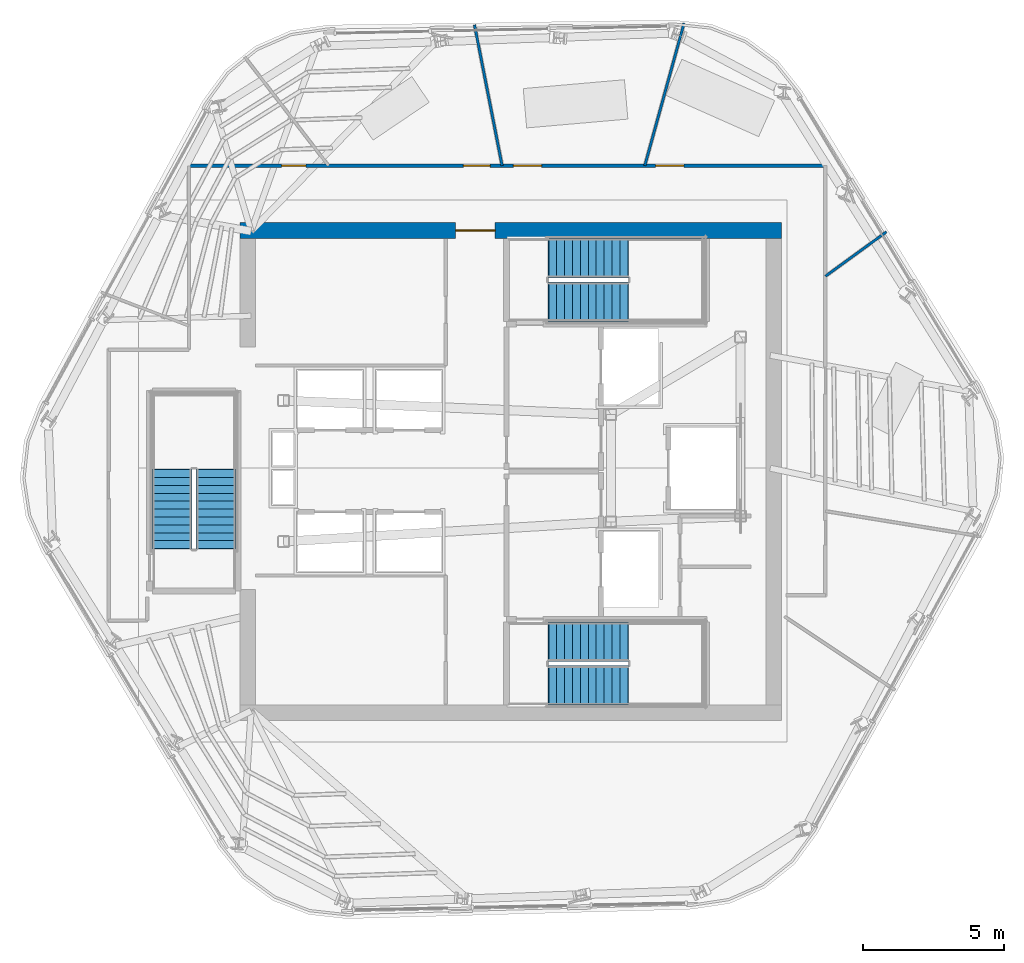
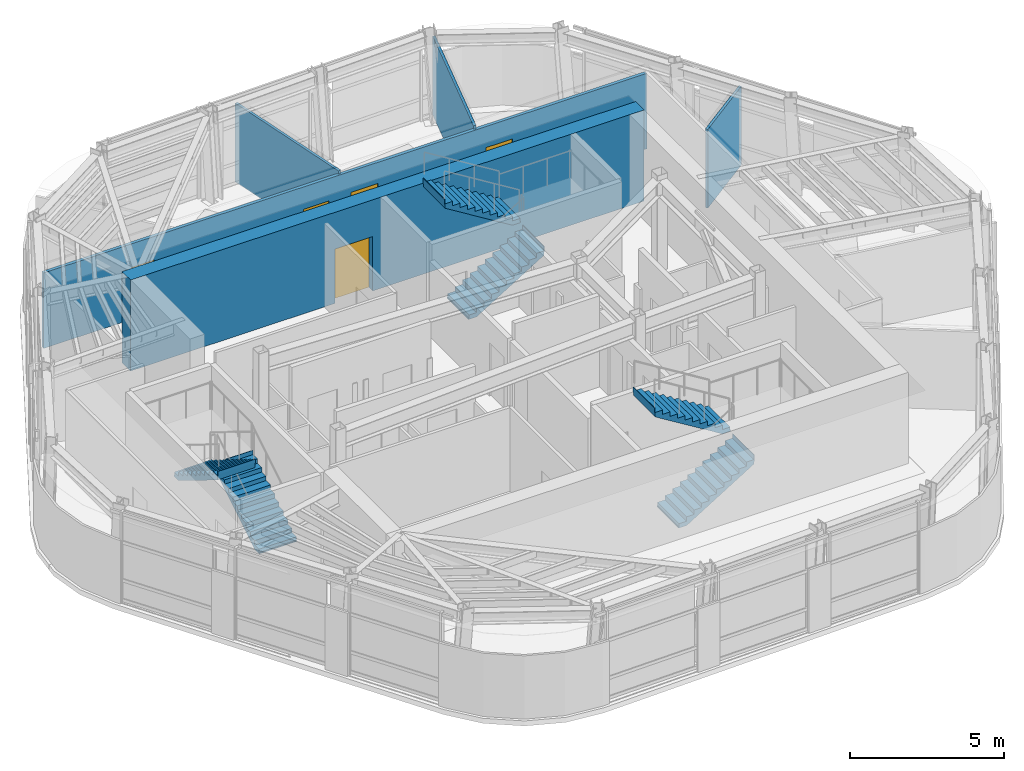
# One storey, part 8 of 13: 6 stair flights, 5 doors, 5 walls, 5 openings, 3 elements without a shape of their own.
"""IFC4 building model written with IfcOpenShell, lengths in metres."""

from ifc_helpers import new_model, si_unit, direction, frame, frame_2d, origin, place, context, subcontext, project, spatial, polyline, rectangle, outline, extrude, material, layer, layer_set, type_object, element, fill, aggregate, save


model = new_model("IFC4")

# Units and contexts
model_context = context("Model", 3, precision=1e-05, world=origin(), true_north=direction((0.0, 1.0)))
body_context = subcontext(model_context, "Body", "Model", "MODEL_VIEW")
ifc_project = project(units=[si_unit("LENGTHUNIT", "METRE"), si_unit("AREAUNIT", "SQUARE_METRE"), si_unit("VOLUMEUNIT", "CUBIC_METRE"), si_unit("PLANEANGLEUNIT", "RADIAN"), si_unit("MASSUNIT", "GRAM", prefix="KILO")], contexts=[model_context])

# Site, building, storey
site_placement = place(None, origin())
site = spatial("IfcSite", under=ifc_project, at=site_placement, CompositionType="ELEMENT")
building_placement = place(site_placement, origin())
building = spatial("IfcBuilding", under=site, at=building_placement, Name="Valkerne Bourse Tower", CompositionType="ELEMENT")
storey_placement = place(building_placement, frame((0.0, 0.0, 288.800048828125)))
storey = spatial("IfcBuildingStorey", under=building, at=storey_placement, Name="L73", CompositionType="ELEMENT", Elevation=288.800048828125)

# Wall, opening, door
ifc_material_1 = material(Name="Concrete C55/67", Category="concrete")
ifc_layer_1 = layer(ifc_material_1, 0.550048828125)
ifc_layer_set_1 = layer_set([ifc_layer_1], Name="Concrete C55/67")
wall_type_1 = type_object("IfcWallType", Name="W-CORE-550", PredefinedType="SHEAR", material=ifc_layer_set_1)
wall_1_placement = place(storey_placement, frame((37.199951171875, 35.425048828125, 0.0), z_axis=(0.0, 0.0, 1.0), x_axis=(1.0, 0.0, 0.0)))
wall_1 = element("IfcWall", 1, at=wall_1_placement, inside=storey, type_object=wall_type_1, Name="L73 Core Shear Wall NORTH", PredefinedType="SHEAR", context=body_context, shape_type="SweptSolid", body=[
    extrude(rectangle(XDim=19.199951171875, YDim=0.550048828125, at=frame_2d((9.60009765625, 0.0))), origin(), (0.0, 0.0, 1.0), 3.599853515625),
])
opening_1_placement = place(wall_1_placement, frame((7.64990234375, 0.0, 0.0)))
opening_1 = element("IfcOpeningElement", 2, at=opening_1_placement, cuts=wall_1, Name="Opening D-PL-1400", PredefinedType="OPENING", context=body_context, shape_type="SweptSolid", body=[
    extrude(rectangle(XDim=1.39990234375, YDim=2.14990234375, at=frame_2d((0.699951171875, 1.074951171875))), frame((0.0, 0.284912109375, 0.0), z_axis=(0.0, -1.0, 0.0), x_axis=(1.0, 0.0, 0.0)), (0.0, 0.0, 1.0), 0.570068359375),
])
ifc_material_2 = material(Name="Galvanised Painted Steel", Category="steel")
door_type_1 = type_object("IfcDoorType", Name="DR-PLT-1400", OperationType="DOUBLE_DOOR_SINGLE_SWING", PredefinedType="DOOR", material=ifc_material_2)
door_1_placement = place(opening_1_placement, origin())
door_1 = element("IfcDoor", 3, at=door_1_placement, inside=storey, type_object=door_type_1, Name="L73 North Passenger Lift Hall Fire Door", OperationType="DOUBLE_DOOR_SINGLE_SWING", OverallHeight=2.14990234375, OverallWidth=1.39990234375, PredefinedType="DOOR", context=body_context, shape_type="SweptSolid", body=[
    extrude(rectangle(XDim=1.39990234375, YDim=2.14990234375, at=frame_2d((0.699951171875, 1.074951171875))), frame((0.0, 0.02490234375, 0.0), z_axis=(0.0, -1.0, 0.0), x_axis=(1.0, 0.0, 0.0)), (0.0, 0.0, 1.0), 0.050048828125),
])
fill(opening_1, door_1)

# Wall, openings, doors
ifc_material_3 = material(Name="Gypsum Board Steel-Stud Partition", Category="steel")
ifc_layer_2 = layer(ifc_material_3, 0.117919921875)
ifc_layer_set_2 = layer_set([ifc_layer_2], Name="Gypsum Board Steel-Stud Partition")
wall_type_2 = type_object("IfcWallType", Name="W-CORR-140", PredefinedType="PARTITIONING", material=ifc_layer_set_2)
wall_2_placement = place(storey_placement, frame((35.39990234375, 37.719970703125, 0.0), z_axis=(0.0, 0.0, 1.0), x_axis=(1.0, 0.0, 0.0)))
wall_2 = element("IfcWall", 4, at=wall_2_placement, inside=storey, type_object=wall_type_2, Name="L73 Corridor Enclosure Wall", PredefinedType="PARTITIONING", context=body_context, shape_type="SweptSolid", body=[
    extrude(rectangle(XDim=22.550048828125, YDim=0.117919921875, at=frame_2d((11.27490234375, 0.0))), origin(), (0.0, 0.0, 1.0), 2.98291015625),
])
opening_2_placement = place(wall_2_placement, frame((3.284912109375, 0.0, 0.0)))
opening_2 = element("IfcOpeningElement", 5, at=opening_2_placement, cuts=wall_2, Name="Opening D-WC-900", PredefinedType="OPENING", context=body_context, shape_type="SweptSolid", body=[
    extrude(rectangle(XDim=0.860107421875, YDim=2.050048828125, at=frame_2d((0.43017578125, 1.02490234375))), frame((0.0, 0.06884765625, 0.0), z_axis=(0.0, -1.0, 0.0), x_axis=(1.0, 0.0, 0.0)), (0.0, 0.0, 1.0), 0.137939453125),
])
opening_3_placement = place(wall_2_placement, frame((16.534912109375, 0.0, 0.0)))
opening_3 = element("IfcOpeningElement", 6, at=opening_3_placement, cuts=wall_2, Name="Opening D-MG-1000", PredefinedType="OPENING", context=body_context, shape_type="SweptSolid", body=[
    extrude(rectangle(XDim=1.0, YDim=2.14990234375, at=frame_2d((0.5, 1.074951171875))), frame((0.0, 0.06884765625, 0.0), z_axis=(0.0, -1.0, 0.0), x_axis=(1.0, 0.0, 0.0)), (0.0, 0.0, 1.0), 0.137939453125),
])
opening_4_placement = place(wall_2_placement, frame((11.4951171875, 0.0, 0.0)))
opening_4 = element("IfcOpeningElement", 7, at=opening_4_placement, cuts=wall_2, Name="Opening D-MG-1000", PredefinedType="OPENING", context=body_context, shape_type="SweptSolid", body=[
    extrude(rectangle(XDim=1.0, YDim=2.14990234375, at=frame_2d((0.5, 1.074951171875))), frame((0.0, 0.06884765625, 0.0), z_axis=(0.0, -1.0, 0.0), x_axis=(1.0, 0.0, 0.0)), (0.0, 0.0, 1.0), 0.137939453125),
])
opening_5_placement = place(wall_2_placement, frame((9.719970703125, 0.0, 0.0)))
opening_5 = element("IfcOpeningElement", 8, at=opening_5_placement, cuts=wall_2, Name="Opening D-OF-950", PredefinedType="OPENING", context=body_context, shape_type="SweptSolid", body=[
    extrude(rectangle(XDim=0.949951171875, YDim=2.10009765625, at=frame_2d((0.47509765625, 1.050048828125))), frame((0.0, 0.06884765625, 0.0), z_axis=(0.0, -1.0, 0.0), x_axis=(1.0, 0.0, 0.0)), (0.0, 0.0, 1.0), 0.137939453125),
])
ifc_material_4 = material(Name="Laminated Tempered Safety Glass", Category="glass")
door_type_2 = type_object("IfcDoorType", Name="DR-MTG-1000", OperationType="NOTDEFINED", PredefinedType="DOOR", material=ifc_material_4)
door_2_placement = place(opening_3_placement, origin())
door_2 = element("IfcDoor", 9, at=door_2_placement, inside=storey, type_object=door_type_2, Name="L73 L73 Client Strategy Conference Room 3 Door", OperationType="SINGLE_SWING_RIGHT", OverallHeight=2.14990234375, OverallWidth=1.0, PredefinedType="DOOR", context=body_context, shape_type="SweptSolid", body=[
    extrude(rectangle(XDim=1.0, YDim=2.14990234375, at=frame_2d((0.5, 1.074951171875))), frame((0.0, 0.02490234375, 0.0), z_axis=(0.0, -1.0, 0.0), x_axis=(1.0, 0.0, 0.0)), (0.0, 0.0, 1.0), 0.050048828125),
])
fill(opening_3, door_2)
door_3_placement = place(opening_4_placement, origin())
door_3 = element("IfcDoor", 10, at=door_3_placement, inside=storey, type_object=door_type_2, Name="L73 L73 Client Strategy Conference Room 4 Door", OperationType="SINGLE_SWING_RIGHT", OverallHeight=2.14990234375, OverallWidth=1.0, PredefinedType="DOOR", context=body_context, shape_type="SweptSolid", body=[
    extrude(rectangle(XDim=1.0, YDim=2.14990234375, at=frame_2d((0.5, 1.074951171875))), frame((0.0, 0.02490234375, 0.0), z_axis=(0.0, -1.0, 0.0), x_axis=(1.0, 0.0, 0.0)), (0.0, 0.0, 1.0), 0.050048828125),
])
fill(opening_4, door_3)
ifc_material_5 = material(Name="Architectural White Oak Timber", Category="wood")
door_type_3 = type_object("IfcDoorType", Name="DR-OFF-950", OperationType="NOTDEFINED", PredefinedType="DOOR", material=ifc_material_5)
door_4_placement = place(opening_5_placement, origin())
door_4 = element("IfcDoor", 11, at=door_4_placement, inside=storey, type_object=door_type_3, Name="L73 L73 Commodities Market Showroom 5 Door", OperationType="SINGLE_SWING_LEFT", OverallHeight=2.10009765625, OverallWidth=0.949951171875, PredefinedType="DOOR", context=body_context, shape_type="SweptSolid", body=[
    extrude(rectangle(XDim=0.949951171875, YDim=2.10009765625, at=frame_2d((0.47509765625, 1.050048828125))), frame((0.0, 0.02490234375, 0.0), z_axis=(0.0, -1.0, 0.0), x_axis=(1.0, 0.0, 0.0)), (0.0, 0.0, 1.0), 0.050048828125),
])
fill(opening_5, door_4)
door_type_4 = type_object("IfcDoorType", Name="DR-WC-900", OperationType="NOTDEFINED", PredefinedType="DOOR", material=ifc_material_5)
door_5_placement = place(opening_2_placement, origin())
door_5 = element("IfcDoor", 12, at=door_5_placement, inside=storey, type_object=door_type_4, Name="L73 L73 Men Bathroom WC 1 Door", OperationType="SINGLE_SWING_RIGHT", OverallHeight=2.050048828125, OverallWidth=0.860107421875, PredefinedType="DOOR", context=body_context, shape_type="SweptSolid", body=[
    extrude(rectangle(XDim=0.860107421875, YDim=2.050048828125, at=frame_2d((0.43017578125, 1.02490234375))), frame((0.0, 0.02490234375, 0.0), z_axis=(0.0, -1.0, 0.0), x_axis=(1.0, 0.0, 0.0)), (0.0, 0.0, 1.0), 0.050048828125),
])
fill(opening_2, door_5)

# Walls
ifc_layer_3 = layer(ifc_material_3, 0.092041015625)
ifc_layer_set_3 = layer_set([ifc_layer_3], Name="Gypsum Board Steel-Stud Partition")
wall_type_3 = type_object("IfcWallType", Name="W-PART-115", PredefinedType="PARTITIONING", material=ifc_layer_set_3)
wall_3_placement = place(storey_placement, frame((51.55419921875, 37.72509765625, 0.0), z_axis=(0.0, 0.0, 1.0), x_axis=(0.265558475862, 0.964094754626, 0.0)))
element("IfcWall", 13, at=wall_3_placement, inside=storey, type_object=wall_type_3, Name="L73 Suite Partition P01", PredefinedType="PARTITIONING", context=body_context, shape_type="SweptSolid", body=[
    extrude(rectangle(XDim=5.236572265625, YDim=0.092041015625, at=frame_2d((2.6181640625, 0.0))), origin(), (0.0, 0.0, 1.0), 3.114990234375),
])
wall_4_placement = place(storey_placement, frame((46.495849609375, 37.72509765625, 0.0), z_axis=(0.0, 0.0, 1.0), x_axis=(-0.192532314385, 0.981290633766, 0.0)))
element("IfcWall", 14, at=wall_4_placement, inside=storey, type_object=wall_type_3, Name="L73 Suite Partition P02", PredefinedType="PARTITIONING", context=body_context, shape_type="SweptSolid", body=[
    extrude(rectangle(XDim=5.0849609375, YDim=0.092041015625, at=frame_2d((2.54248046875, 0.0))), origin(), (0.0, 0.0, 1.0), 3.114990234375),
])
wall_5_placement = place(storey_placement, frame((57.955078125, 33.8037109375, 0.0), z_axis=(0.0, 0.0, 1.0), x_axis=(0.808724237303, 0.588187986955, 0.0)))
element("IfcWall", 15, at=wall_5_placement, inside=storey, type_object=wall_type_3, Name="L73 Suite Partition P07", PredefinedType="PARTITIONING", context=body_context, shape_type="SweptSolid", body=[
    extrude(rectangle(XDim=2.673583984375, YDim=0.092041015625, at=frame_2d((1.3369140625, 0.0))), origin(), (0.0, 0.0, 1.0), 3.114990234375),
])

# Stair, stair flights
ifc_material_6 = material(Name="Concrete C40/50", Category="concrete")
stair_type = type_object("IfcStairType", Name="ST-CORE-1400", PredefinedType="HALF_TURN_STAIR", material=ifc_material_6)
stair_1_placement = place(storey_placement, origin())
stair_1 = element("IfcStair", 16, at=stair_1_placement, inside=storey, type_object=stair_type, Name="L73 ST-1", PredefinedType="HALF_TURN_STAIR")
stair_flight_type = type_object("IfcStairFlightType", Name="STF-CORE-1400", PredefinedType="STRAIGHT", material=ifc_material_6)
stair_flight_1_placement = place(storey_placement, frame((48.14990234375, 19.300048828125, 0.0), z_axis=(0.0, 0.0, 1.0), x_axis=(1.0, 0.0, 0.0)))
stair_flight_1 = element("IfcStairFlight", 17, at=stair_flight_1_placement, type_object=stair_flight_type, Name="ST-1 flight 1", NumberOfRisers=11, NumberOfTreads=10, PredefinedType="STRAIGHT", RiserHeight=0.172727273, TreadLength=0.28, context=body_context, shape_type="SweptSolid", body=[
    extrude(outline(polyline([(-0.02001953125, 0.0), (-0.02001953125, 0.044921875), (0.0, 0.044921875), (0.0, 0.172607421875), (0.280029296875, 0.172607421875), (0.280029296875, 0.345458984375), (0.56005859375, 0.345458984375), (0.56005859375, 0.51806640625), (0.840087890625, 0.51806640625), (0.840087890625, 0.69091796875), (1.1201171875, 0.69091796875), (1.1201171875, 0.863525390625), (1.39990234375, 0.863525390625), (1.39990234375, 1.036376953125), (1.679931640625, 1.036376953125), (1.679931640625, 1.208984375), (1.9599609375, 1.208984375), (1.9599609375, 1.3818359375), (2.239990234375, 1.3818359375), (2.239990234375, 1.554443359375), (2.52001953125, 1.554443359375), (2.52001953125, 1.727294921875), (2.800048828125, 1.727294921875), (2.800048828125, 1.89990234375), (2.820068359375, 1.89990234375), (2.820068359375, 1.780029296875), (2.800048828125, 1.551025390625), (0.285400390625, 0.0), (-0.02001953125, 0.0)])), frame((0.0, 0.699951171875, 0.0), z_axis=(0.0, -1.0, 0.0), x_axis=(1.0, 0.0, 0.0)), (0.0, 0.0, 1.0), 1.39990234375),
])
stair_flight_2_placement = place(storey_placement, frame((50.949951171875, 20.85009765625, 1.89990234375), z_axis=(0.0, 0.0, 1.0), x_axis=(-1.0, 0.0, 0.0)))
stair_flight_2 = element("IfcStairFlight", 18, at=stair_flight_2_placement, type_object=stair_flight_type, Name="ST-1 flight 2", NumberOfRisers=11, NumberOfTreads=10, PredefinedType="STRAIGHT", RiserHeight=0.172727273, TreadLength=0.28, context=body_context, shape_type="SweptSolid", body=[
    extrude(outline(polyline([(-0.02001953125, 0.0), (-0.02001953125, 0.044921875), (0.0, 0.044921875), (0.0, 0.172607421875), (0.280029296875, 0.172607421875), (0.280029296875, 0.345458984375), (0.56005859375, 0.345458984375), (0.56005859375, 0.51806640625), (0.840087890625, 0.51806640625), (0.840087890625, 0.69091796875), (1.1201171875, 0.69091796875), (1.1201171875, 0.863525390625), (1.39990234375, 0.863525390625), (1.39990234375, 1.036376953125), (1.679931640625, 1.036376953125), (1.679931640625, 1.208984375), (1.9599609375, 1.208984375), (1.9599609375, 1.3818359375), (2.239990234375, 1.3818359375), (2.239990234375, 1.554443359375), (2.52001953125, 1.554443359375), (2.52001953125, 1.727294921875), (2.800048828125, 1.727294921875), (2.800048828125, 1.89990234375), (2.820068359375, 1.89990234375), (2.820068359375, 1.780029296875), (2.800048828125, 1.551025390625), (0.285400390625, 0.0), (-0.02001953125, 0.0)])), frame((0.0, 0.699951171875, 0.0), z_axis=(0.0, -1.0, 0.0), x_axis=(1.0, 0.0, 0.0)), (0.0, 0.0, 1.0), 1.39990234375),
])
aggregate(stair_1, [stair_flight_1, stair_flight_2])

stair_2_placement = place(storey_placement, origin())
stair_2 = element("IfcStair", 19, at=stair_2_placement, inside=storey, type_object=stair_type, Name="L73 ST-2", PredefinedType="HALF_TURN_STAIR")
stair_flight_3_placement = place(storey_placement, frame((48.14990234375, 32.89990234375, 0.0), z_axis=(0.0, 0.0, 1.0), x_axis=(1.0, 0.0, 0.0)))
stair_flight_3 = element("IfcStairFlight", 20, at=stair_flight_3_placement, type_object=stair_flight_type, Name="ST-2 flight 1", NumberOfRisers=11, NumberOfTreads=10, PredefinedType="STRAIGHT", RiserHeight=0.172727273, TreadLength=0.28, context=body_context, shape_type="SweptSolid", body=[
    extrude(outline(polyline([(-0.02001953125, 0.0), (-0.02001953125, 0.044921875), (0.0, 0.044921875), (0.0, 0.172607421875), (0.280029296875, 0.172607421875), (0.280029296875, 0.345458984375), (0.56005859375, 0.345458984375), (0.56005859375, 0.51806640625), (0.840087890625, 0.51806640625), (0.840087890625, 0.69091796875), (1.1201171875, 0.69091796875), (1.1201171875, 0.863525390625), (1.39990234375, 0.863525390625), (1.39990234375, 1.036376953125), (1.679931640625, 1.036376953125), (1.679931640625, 1.208984375), (1.9599609375, 1.208984375), (1.9599609375, 1.3818359375), (2.239990234375, 1.3818359375), (2.239990234375, 1.554443359375), (2.52001953125, 1.554443359375), (2.52001953125, 1.727294921875), (2.800048828125, 1.727294921875), (2.800048828125, 1.89990234375), (2.820068359375, 1.89990234375), (2.820068359375, 1.780029296875), (2.800048828125, 1.551025390625), (0.285400390625, 0.0), (-0.02001953125, 0.0)])), frame((0.0, 0.699951171875, 0.0), z_axis=(0.0, -1.0, 0.0), x_axis=(1.0, 0.0, 0.0)), (0.0, 0.0, 1.0), 1.39990234375),
])
stair_flight_4_placement = place(storey_placement, frame((50.949951171875, 34.449951171875, 1.89990234375), z_axis=(0.0, 0.0, 1.0), x_axis=(-1.0, 0.0, 0.0)))
stair_flight_4 = element("IfcStairFlight", 21, at=stair_flight_4_placement, type_object=stair_flight_type, Name="ST-2 flight 2", NumberOfRisers=11, NumberOfTreads=10, PredefinedType="STRAIGHT", RiserHeight=0.172727273, TreadLength=0.28, context=body_context, shape_type="SweptSolid", body=[
    extrude(outline(polyline([(-0.02001953125, 0.0), (-0.02001953125, 0.044921875), (0.0, 0.044921875), (0.0, 0.172607421875), (0.280029296875, 0.172607421875), (0.280029296875, 0.345458984375), (0.56005859375, 0.345458984375), (0.56005859375, 0.51806640625), (0.840087890625, 0.51806640625), (0.840087890625, 0.69091796875), (1.1201171875, 0.69091796875), (1.1201171875, 0.863525390625), (1.39990234375, 0.863525390625), (1.39990234375, 1.036376953125), (1.679931640625, 1.036376953125), (1.679931640625, 1.208984375), (1.9599609375, 1.208984375), (1.9599609375, 1.3818359375), (2.239990234375, 1.3818359375), (2.239990234375, 1.554443359375), (2.52001953125, 1.554443359375), (2.52001953125, 1.727294921875), (2.800048828125, 1.727294921875), (2.800048828125, 1.89990234375), (2.820068359375, 1.89990234375), (2.820068359375, 1.780029296875), (2.800048828125, 1.551025390625), (0.285400390625, 0.0), (-0.02001953125, 0.0)])), frame((0.0, 0.699951171875, 0.0), z_axis=(0.0, -1.0, 0.0), x_axis=(1.0, 0.0, 0.0)), (0.0, 0.0, 1.0), 1.39990234375),
])
aggregate(stair_2, [stair_flight_3, stair_flight_4])

stair_3_placement = place(storey_placement, origin())
stair_3 = element("IfcStair", 22, at=stair_3_placement, inside=storey, type_object=stair_type, Name="L73 ST-3", PredefinedType="HALF_TURN_STAIR")
stair_flight_5_placement = place(storey_placement, frame((36.35009765625, 24.14990234375, 0.0), z_axis=(0.0, 0.0, 1.0), x_axis=(0.0, 1.0, 0.0)))
stair_flight_5 = element("IfcStairFlight", 23, at=stair_flight_5_placement, type_object=stair_flight_type, Name="ST-3 flight 1", NumberOfRisers=11, NumberOfTreads=10, PredefinedType="STRAIGHT", RiserHeight=0.172727273, TreadLength=0.28, context=body_context, shape_type="SweptSolid", body=[
    extrude(outline(polyline([(-0.02001953125, 0.0), (-0.02001953125, 0.044921875), (0.0, 0.044921875), (0.0, 0.172607421875), (0.280029296875, 0.172607421875), (0.280029296875, 0.345458984375), (0.56005859375, 0.345458984375), (0.56005859375, 0.51806640625), (0.840087890625, 0.51806640625), (0.840087890625, 0.69091796875), (1.1201171875, 0.69091796875), (1.1201171875, 0.863525390625), (1.39990234375, 0.863525390625), (1.39990234375, 1.036376953125), (1.679931640625, 1.036376953125), (1.679931640625, 1.208984375), (1.9599609375, 1.208984375), (1.9599609375, 1.3818359375), (2.239990234375, 1.3818359375), (2.239990234375, 1.554443359375), (2.52001953125, 1.554443359375), (2.52001953125, 1.727294921875), (2.800048828125, 1.727294921875), (2.800048828125, 1.89990234375), (2.820068359375, 1.89990234375), (2.820068359375, 1.780029296875), (2.800048828125, 1.551025390625), (0.285400390625, 0.0), (-0.02001953125, 0.0)])), frame((0.0, 0.699951171875, 0.0), z_axis=(0.0, -1.0, 0.0), x_axis=(1.0, 0.0, 0.0)), (0.0, 0.0, 1.0), 1.39990234375),
])
stair_flight_6_placement = place(storey_placement, frame((34.800048828125, 26.949951171875, 1.89990234375), z_axis=(0.0, 0.0, 1.0), x_axis=(0.0, -1.0, 0.0)))
stair_flight_6 = element("IfcStairFlight", 24, at=stair_flight_6_placement, type_object=stair_flight_type, Name="ST-3 flight 2", NumberOfRisers=11, NumberOfTreads=10, PredefinedType="STRAIGHT", RiserHeight=0.172727273, TreadLength=0.28, context=body_context, shape_type="SweptSolid", body=[
    extrude(outline(polyline([(-0.02001953125, 0.0), (-0.02001953125, 0.044921875), (0.0, 0.044921875), (0.0, 0.172607421875), (0.280029296875, 0.172607421875), (0.280029296875, 0.345458984375), (0.56005859375, 0.345458984375), (0.56005859375, 0.51806640625), (0.840087890625, 0.51806640625), (0.840087890625, 0.69091796875), (1.1201171875, 0.69091796875), (1.1201171875, 0.863525390625), (1.39990234375, 0.863525390625), (1.39990234375, 1.036376953125), (1.679931640625, 1.036376953125), (1.679931640625, 1.208984375), (1.9599609375, 1.208984375), (1.9599609375, 1.3818359375), (2.239990234375, 1.3818359375), (2.239990234375, 1.554443359375), (2.52001953125, 1.554443359375), (2.52001953125, 1.727294921875), (2.800048828125, 1.727294921875), (2.800048828125, 1.89990234375), (2.820068359375, 1.89990234375), (2.820068359375, 1.780029296875), (2.800048828125, 1.551025390625), (0.285400390625, 0.0), (-0.02001953125, 0.0)])), frame((0.0, 0.699951171875, 0.0), z_axis=(0.0, -1.0, 0.0), x_axis=(1.0, 0.0, 0.0)), (0.0, 0.0, 1.0), 1.39990234375),
])
aggregate(stair_3, [stair_flight_5, stair_flight_6])

save(model, "model.ifc")
